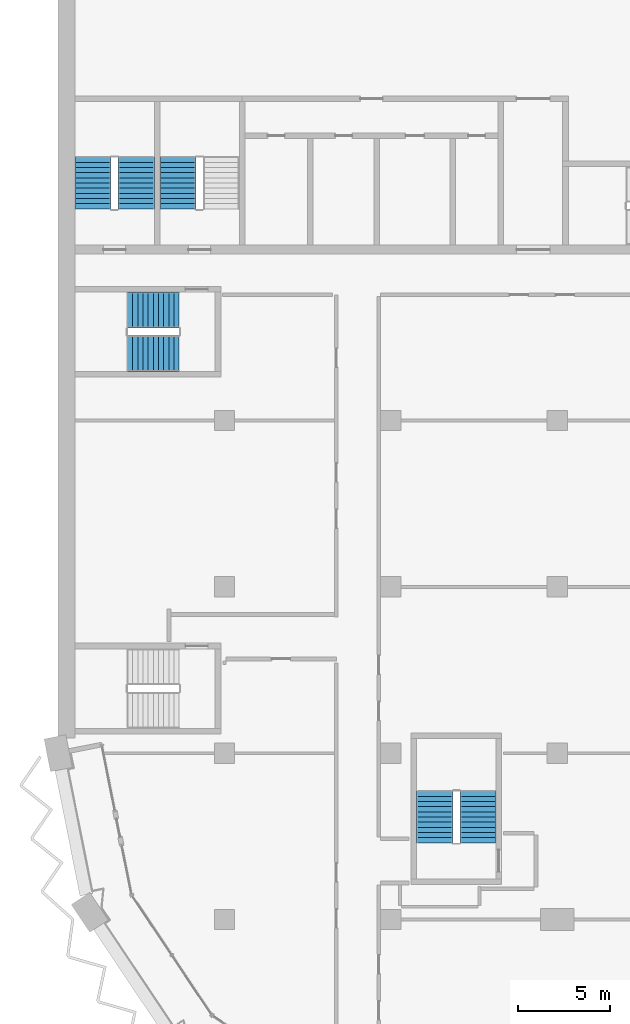
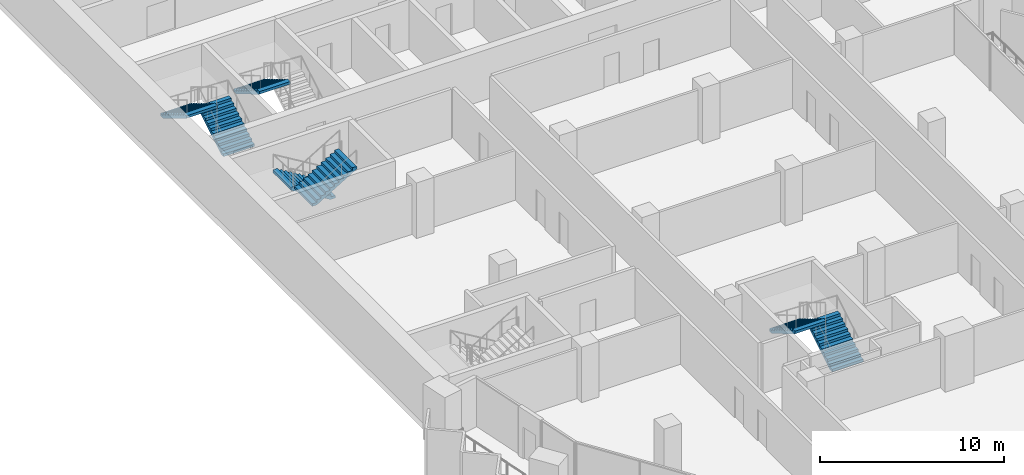
# One storey, part 12 of 17: 7 stair flights, 4 elements without a shape of their own.
"""IFC4 building model written with IfcOpenShell, lengths in metres."""

import ifcopenshell
import ifcopenshell.guid

model = None  # the IFC model being written
_history = None  # IfcOwnerHistory: only IFC2X3 demands one
_inside = {}  # id of a spatial element -> (the spatial element, [elements in it])
_under = {}  # id of a project, library or spatial element -> (it, [spatial elements below it])
_declared = {}  # id of a project -> (the project, [libraries it declares])
_typed = {}  # id of a type object -> (the type object, [elements of that type])
_made_of = {}  # id of a material, layer set ... -> (it, [elements and type objects made of it])


def new_model(schema):
    """Start an empty IFC model of exactly this schema.

    Asked for "IFC4X3", IfcOpenShell would pick the latest addendum, in which some entities
    have other attributes; the version numbers below select the first issue.
    IFC2X3 requires an IfcOwnerHistory on every rooted entity: one is made here for all.
    """
    global model, _history
    if schema == "IFC4X3":
        model = ifcopenshell.file(schema_version=(4, 3, 0, 0))
    else:
        model = ifcopenshell.file(schema=schema)
    _inside.clear()
    _under.clear()
    _declared.clear()
    _typed.clear()
    _made_of.clear()
    _history = None
    if model.schema == "IFC2X3":
        org = make("IfcOrganization", Name="unknown")
        user = make(
            "IfcPersonAndOrganization",
            ThePerson=make("IfcPerson", FamilyName="unknown"),
            TheOrganization=org,
        )
        app = make(
            "IfcApplication",
            ApplicationDeveloper=org,
            Version="unknown",
            ApplicationFullName="unknown",
            ApplicationIdentifier="unknown",
        )
        _history = make(
            "IfcOwnerHistory",
            OwningUser=user,
            OwningApplication=app,
            ChangeAction="ADDED",
            CreationDate=0,
        )
    return model


def make(cls, **values):
    """One entity of the class cls with the attributes given. An attribute that is None is left unset."""
    return model.create_entity(
        cls, **{name: value for name, value in values.items() if value is not None}
    )


def rooted(cls, **values):
    """An entity with a GlobalId (a new one), such as an element, a storey or a relation."""
    return make(cls, GlobalId=ifcopenshell.guid.new(), OwnerHistory=_history, **values)


def si_unit(unit_type, name, prefix=None):
    """IfcSIUnit, for example si_unit("LENGTHUNIT", "METRE", prefix="MILLI")."""
    return make("IfcSIUnit", UnitType=unit_type, Prefix=prefix, Name=name)


def assignment(units):
    """IfcUnitAssignment: the units of a project."""
    return None if units is None else make("IfcUnitAssignment", Units=units)


def point(xyz):
    """IfcCartesianPoint."""
    return None if xyz is None else make("IfcCartesianPoint", Coordinates=xyz)


def direction(xyz):
    """IfcDirection."""
    return None if xyz is None else make("IfcDirection", DirectionRatios=xyz)


def frame(location, z_axis=None, x_axis=None):
    """IfcAxis2Placement3D, a coordinate frame: its origin and axes. An axis left out is left unset."""
    return make(
        "IfcAxis2Placement3D",
        Location=point(location),
        Axis=direction(z_axis),
        RefDirection=direction(x_axis),
    )


def origin():
    """The frame at (0, 0, 0) with its axes left unset."""
    return frame((0.0, 0.0, 0.0))


def place(relative_to, where):
    """IfcLocalPlacement: puts the frame where relative to a parent placement (None: the world)."""
    return make(
        "IfcLocalPlacement", PlacementRelTo=relative_to, RelativePlacement=where
    )


def context(
    kind, dimensions, precision=None, world=None, true_north=None, identifier=None
):
    """IfcGeometricRepresentationContext, for example the 3D "Model" context."""
    return make(
        "IfcGeometricRepresentationContext",
        ContextIdentifier=identifier,
        ContextType=kind,
        CoordinateSpaceDimension=dimensions,
        Precision=precision,
        WorldCoordinateSystem=world,
        TrueNorth=true_north,
    )


def subcontext(parent, identifier, kind, view, scale=None):
    """IfcGeometricRepresentationSubContext, for example "Body" below "Model"."""
    return make(
        "IfcGeometricRepresentationSubContext",
        ContextIdentifier=identifier,
        ContextType=kind,
        ParentContext=parent,
        TargetScale=scale,
        TargetView=view,
    )


def project(units=None, contexts=None):
    """IfcProject with its units and contexts."""
    return rooted(
        "IfcProject",
        Name="project",
        RepresentationContexts=contexts,
        UnitsInContext=assignment(units),
    )


def spatial(cls, under=None, at=None, **own):
    """A site, building, storey or space (cls), placed at a placement, below another one or the project."""
    s = rooted(cls, ObjectPlacement=at, **own)
    if under is not None:
        _under.setdefault(under.id(), (under, []))[1].append(s)
    return s


def polyline(points):
    """IfcPolyline through the points."""
    return make("IfcPolyline", Points=[point(p) for p in points])


def outline(outer, holes=None, kind="AREA"):
    """IfcArbitraryClosedProfileDef: a profile drawn as a closed curve; with holes, ...WithVoids."""
    if holes is None:
        return make("IfcArbitraryClosedProfileDef", ProfileType=kind, OuterCurve=outer)
    return make(
        "IfcArbitraryProfileDefWithVoids",
        ProfileType=kind,
        OuterCurve=outer,
        InnerCurves=holes,
    )


def extrude(swept, where, along, depth):
    """IfcExtrudedAreaSolid: the profile swept, set in the frame where, extruded along a direction by depth."""
    return make(
        "IfcExtrudedAreaSolid",
        SweptArea=swept,
        Position=where,
        ExtrudedDirection=direction(along),
        Depth=depth,
    )


def shape(context_of_items, identifier, shape_type, items):
    """IfcShapeRepresentation: the items that make up one representation, for example the "Body"."""
    return make(
        "IfcShapeRepresentation",
        ContextOfItems=context_of_items,
        RepresentationIdentifier=identifier,
        RepresentationType=shape_type,
        Items=items,
    )


def material(Name=None, Category=None):
    """IfcMaterial."""
    return make("IfcMaterial", Name=Name, Category=Category)


def made_of(thing, what):
    """Note that an element or type object is made of a material, layer set ...; save() writes the relation."""
    if what is not None:
        _made_of.setdefault(what.id(), (what, []))[1].append(thing)
    return thing


def type_object(cls, material=None, **own):
    """A type object (cls), such as IfcWallType, which elements share."""
    return made_of(rooted(cls, **own), material)


def element(
    cls,
    number,
    at=None,
    inside=None,
    cuts=None,
    type_object=None,
    material=None,
    context=None,
    identifier="Body",
    shape_type=None,
    held_by="IfcProductDefinitionShape",
    body=None,
    shapes=None,
    **own,
):
    """One element of the class cls, such as IfcWall. Its Tag is "e" and its number.

    at: its placement. inside: the storey or other place that contains it. cuts: it is an
    opening in that element (IfcRelVoidsElement). A single representation is given by context,
    identifier, shape_type and body (its items); several are given by shapes. held_by: the class
    of the entity that holds the representations. save() writes the other relations.
    """
    e = rooted(cls, Tag="e%d" % number, ObjectPlacement=at, **own)
    if body is not None:
        shapes = [shape(context, identifier, shape_type, body)]
    if shapes is not None:
        e.Representation = make(held_by, Representations=shapes)
    if inside is not None:
        _inside.setdefault(inside.id(), (inside, []))[1].append(e)
    if cuts is not None:
        rooted(
            "IfcRelVoidsElement", RelatingBuildingElement=cuts, RelatedOpeningElement=e
        )
    if type_object is not None:
        _typed.setdefault(type_object.id(), (type_object, []))[1].append(e)
    return made_of(e, material)


def aggregate(whole, parts):
    """IfcRelAggregates: a whole, such as a stair, and the parts it consists of."""
    return rooted("IfcRelAggregates", RelatingObject=whole, RelatedObjects=parts)


def save(model, path):
    """Write the relations noted so far, then the file.

    IfcRelAggregates (storeys below a building ...), IfcRelContainedInSpatialStructure (elements
    in a storey), IfcRelDefinesByType, IfcRelAssociatesMaterial and IfcRelDeclares: one each for
    every whole, place, type object, material and project.
    """
    for whole, parts in _under.values():
        aggregate(whole, parts)
    for where, things in _inside.values():
        rooted(
            "IfcRelContainedInSpatialStructure",
            RelatedElements=things,
            RelatingStructure=where,
        )
    for kind, things in _typed.values():
        rooted("IfcRelDefinesByType", RelatedObjects=things, RelatingType=kind)
    for what, things in _made_of.values():
        rooted("IfcRelAssociatesMaterial", RelatedObjects=things, RelatingMaterial=what)
    for by, libraries in _declared.values():
        rooted("IfcRelDeclares", RelatingContext=by, RelatedDefinitions=libraries)
    model.write(path)


model = new_model("IFC4")

# Units and contexts
model_context = context("Model", 3, precision=1e-05, world=origin(), true_north=direction((0.0, 1.0)))
body_context = subcontext(model_context, "Body", "Model", "MODEL_VIEW")
ifc_project = project(units=[si_unit("LENGTHUNIT", "METRE"), si_unit("AREAUNIT", "SQUARE_METRE"), si_unit("VOLUMEUNIT", "CUBIC_METRE"), si_unit("PLANEANGLEUNIT", "RADIAN"), si_unit("MASSUNIT", "GRAM", prefix="KILO")], contexts=[model_context])

# Site, building, storey
site_placement = place(None, origin())
site = spatial("IfcSite", under=ifc_project, at=site_placement, CompositionType="ELEMENT")
building_placement = place(site_placement, origin())
building = spatial("IfcBuilding", under=site, at=building_placement, Name="Hunhe Ridgeline Campus", CompositionType="ELEMENT")
storey_placement = place(building_placement, frame((0.0, 0.0, 186.5)))
storey = spatial("IfcBuildingStorey", under=building, at=storey_placement, Name="L47", CompositionType="ELEMENT", Elevation=186.5)

# Stair, stair flights
ifc_material = material(Name="Concrete C40", Category="concrete")
stair_type = type_object("IfcStairType", Name="Reinforced concrete dog-leg stair 1950 Concrete C40", PredefinedType="HALF_TURN_STAIR", material=ifc_material)
stair_1_placement = place(storey_placement, origin())
stair_1 = element("IfcStair", 1, at=stair_1_placement, inside=storey, type_object=stair_type, Name="L47 S3", PredefinedType="HALF_TURN_STAIR")
stair_flight_type = type_object("IfcStairFlightType", Name="Reinforced concrete stair flight 1950 Concrete C40", PredefinedType="STRAIGHT", material=ifc_material)
stair_flight_1_placement = place(storey_placement, frame((4.22509765625, 65.449951171875, 0.0), z_axis=(0.0, 0.0, 1.0), x_axis=(0.0, 1.0, 0.0)))
stair_flight_1 = element("IfcStairFlight", 2, at=stair_flight_1_placement, type_object=stair_flight_type, Name="ST3 flight 1", NumberOfRisers=11, NumberOfTreads=10, PredefinedType="STRAIGHT", RiserHeight=0.168181818, TreadLength=0.28, context=body_context, shape_type="SweptSolid", body=[
    extrude(outline(polyline([(0.0, 0.0), (0.0, 0.168212890625), (0.280029296875, 0.168212890625), (0.280029296875, 0.33642578125), (0.56005859375, 0.33642578125), (0.56005859375, 0.504638671875), (0.840087890625, 0.504638671875), (0.840087890625, 0.672607421875), (1.1201171875, 0.672607421875), (1.1201171875, 0.8408203125), (1.39990234375, 0.8408203125), (1.39990234375, 1.009033203125), (1.679931640625, 1.009033203125), (1.679931640625, 1.17724609375), (1.9599609375, 1.17724609375), (1.9599609375, 1.345458984375), (2.239990234375, 1.345458984375), (2.239990234375, 1.513671875), (2.52001953125, 1.513671875), (2.52001953125, 1.681884765625), (2.800048828125, 1.681884765625), (2.800048828125, 1.85009765625), (2.800048828125, 1.5068359375), (0.291015625, 0.0), (0.0, 0.0)])), frame((0.0, 0.97509765625, 0.0), z_axis=(0.0, -1.0, 0.0), x_axis=(1.0, 0.0, 0.0)), (0.0, 0.0, 1.0), 1.949951171875),
    extrude(outline(polyline([(0.030029296875, 0.030029296875), (0.030029296875, 0.13818359375), (0.31005859375, 0.13818359375), (0.31005859375, 0.306396484375), (0.590087890625, 0.306396484375), (0.590087890625, 0.474609375), (0.8701171875, 0.474609375), (0.8701171875, 0.642578125), (1.14990234375, 0.642578125), (1.14990234375, 0.810791015625), (1.429931640625, 0.810791015625), (1.429931640625, 0.97900390625), (1.7099609375, 0.97900390625), (1.7099609375, 1.147216796875), (1.989990234375, 1.147216796875), (1.989990234375, 1.3154296875), (2.27001953125, 1.3154296875), (2.27001953125, 1.483642578125), (2.550048828125, 1.483642578125), (2.550048828125, 1.65185546875), (2.77001953125, 1.65185546875), (2.77001953125, 1.52392578125), (0.28271484375, 0.030029296875), (0.030029296875, 0.030029296875)])), frame((0.0, -0.070068359375, 0.0), z_axis=(0.0, -1.0, 0.0), x_axis=(1.0, 0.0, 0.0)), (0.0, 0.0, 1.0), 0.019775390625),
    extrude(outline(polyline([(0.030029296875, 0.030029296875), (0.030029296875, 0.13818359375), (0.31005859375, 0.13818359375), (0.31005859375, 0.306396484375), (0.590087890625, 0.306396484375), (0.590087890625, 0.474609375), (0.8701171875, 0.474609375), (0.8701171875, 0.642578125), (1.14990234375, 0.642578125), (1.14990234375, 0.810791015625), (1.429931640625, 0.810791015625), (1.429931640625, 0.97900390625), (1.7099609375, 0.97900390625), (1.7099609375, 1.147216796875), (1.989990234375, 1.147216796875), (1.989990234375, 1.3154296875), (2.27001953125, 1.3154296875), (2.27001953125, 1.483642578125), (2.550048828125, 1.483642578125), (2.550048828125, 1.65185546875), (2.77001953125, 1.65185546875), (2.77001953125, 1.52392578125), (0.28271484375, 0.030029296875), (0.030029296875, 0.030029296875)])), frame((0.0, 0.010009765625, 0.0), z_axis=(0.0, -1.0, 0.0), x_axis=(1.0, 0.0, 0.0)), (0.0, 0.0, 1.0), 0.019775390625),
    extrude(outline(polyline([(0.030029296875, 0.030029296875), (0.030029296875, 0.13818359375), (0.31005859375, 0.13818359375), (0.31005859375, 0.306396484375), (0.590087890625, 0.306396484375), (0.590087890625, 0.474609375), (0.8701171875, 0.474609375), (0.8701171875, 0.642578125), (1.14990234375, 0.642578125), (1.14990234375, 0.810791015625), (1.429931640625, 0.810791015625), (1.429931640625, 0.97900390625), (1.7099609375, 0.97900390625), (1.7099609375, 1.147216796875), (1.989990234375, 1.147216796875), (1.989990234375, 1.3154296875), (2.27001953125, 1.3154296875), (2.27001953125, 1.483642578125), (2.550048828125, 1.483642578125), (2.550048828125, 1.65185546875), (2.77001953125, 1.65185546875), (2.77001953125, 1.52392578125), (0.28271484375, 0.030029296875), (0.030029296875, 0.030029296875)])), frame((0.0, 0.090087890625, 0.0), z_axis=(0.0, -1.0, 0.0), x_axis=(1.0, 0.0, 0.0)), (0.0, 0.0, 1.0), 0.019775390625),
])
stair_flight_2_placement = place(storey_placement, frame((1.875, 68.25, 1.85009765625), z_axis=(0.0, 0.0, 1.0), x_axis=(0.0, -1.0, 0.0)))
stair_flight_2 = element("IfcStairFlight", 3, at=stair_flight_2_placement, type_object=stair_flight_type, Name="ST3 flight 2", NumberOfRisers=11, NumberOfTreads=10, PredefinedType="STRAIGHT", RiserHeight=0.168181818, TreadLength=0.28, context=body_context, shape_type="SweptSolid", body=[
    extrude(outline(polyline([(0.0, 0.0), (0.0, 0.168212890625), (0.280029296875, 0.168212890625), (0.280029296875, 0.33642578125), (0.56005859375, 0.33642578125), (0.56005859375, 0.504638671875), (0.840087890625, 0.504638671875), (0.840087890625, 0.672607421875), (1.1201171875, 0.672607421875), (1.1201171875, 0.8408203125), (1.39990234375, 0.8408203125), (1.39990234375, 1.009033203125), (1.679931640625, 1.009033203125), (1.679931640625, 1.17724609375), (1.9599609375, 1.17724609375), (1.9599609375, 1.345458984375), (2.239990234375, 1.345458984375), (2.239990234375, 1.513671875), (2.52001953125, 1.513671875), (2.52001953125, 1.681884765625), (2.800048828125, 1.681884765625), (2.800048828125, 1.85009765625), (2.800048828125, 1.5068359375), (0.291015625, 0.0), (0.0, 0.0)])), frame((0.0, 0.97509765625, 0.0), z_axis=(0.0, -1.0, 0.0), x_axis=(1.0, 0.0, 0.0)), (0.0, 0.0, 1.0), 1.949951171875),
    extrude(outline(polyline([(0.030029296875, 0.030029296875), (0.030029296875, 0.13818359375), (0.31005859375, 0.13818359375), (0.31005859375, 0.306396484375), (0.590087890625, 0.306396484375), (0.590087890625, 0.474609375), (0.8701171875, 0.474609375), (0.8701171875, 0.642578125), (1.14990234375, 0.642578125), (1.14990234375, 0.810791015625), (1.429931640625, 0.810791015625), (1.429931640625, 0.97900390625), (1.7099609375, 0.97900390625), (1.7099609375, 1.147216796875), (1.989990234375, 1.147216796875), (1.989990234375, 1.3154296875), (2.27001953125, 1.3154296875), (2.27001953125, 1.483642578125), (2.550048828125, 1.483642578125), (2.550048828125, 1.65185546875), (2.77001953125, 1.65185546875), (2.77001953125, 1.52392578125), (0.28271484375, 0.030029296875), (0.030029296875, 0.030029296875)])), frame((0.0, -0.070068359375, 0.0), z_axis=(0.0, -1.0, 0.0), x_axis=(1.0, 0.0, 0.0)), (0.0, 0.0, 1.0), 0.019775390625),
    extrude(outline(polyline([(0.030029296875, 0.030029296875), (0.030029296875, 0.13818359375), (0.31005859375, 0.13818359375), (0.31005859375, 0.306396484375), (0.590087890625, 0.306396484375), (0.590087890625, 0.474609375), (0.8701171875, 0.474609375), (0.8701171875, 0.642578125), (1.14990234375, 0.642578125), (1.14990234375, 0.810791015625), (1.429931640625, 0.810791015625), (1.429931640625, 0.97900390625), (1.7099609375, 0.97900390625), (1.7099609375, 1.147216796875), (1.989990234375, 1.147216796875), (1.989990234375, 1.3154296875), (2.27001953125, 1.3154296875), (2.27001953125, 1.483642578125), (2.550048828125, 1.483642578125), (2.550048828125, 1.65185546875), (2.77001953125, 1.65185546875), (2.77001953125, 1.52392578125), (0.28271484375, 0.030029296875), (0.030029296875, 0.030029296875)])), frame((0.0, 0.010009765625, 0.0), z_axis=(0.0, -1.0, 0.0), x_axis=(1.0, 0.0, 0.0)), (0.0, 0.0, 1.0), 0.019775390625),
    extrude(outline(polyline([(0.030029296875, 0.030029296875), (0.030029296875, 0.13818359375), (0.31005859375, 0.13818359375), (0.31005859375, 0.306396484375), (0.590087890625, 0.306396484375), (0.590087890625, 0.474609375), (0.8701171875, 0.474609375), (0.8701171875, 0.642578125), (1.14990234375, 0.642578125), (1.14990234375, 0.810791015625), (1.429931640625, 0.810791015625), (1.429931640625, 0.97900390625), (1.7099609375, 0.97900390625), (1.7099609375, 1.147216796875), (1.989990234375, 1.147216796875), (1.989990234375, 1.3154296875), (2.27001953125, 1.3154296875), (2.27001953125, 1.483642578125), (2.550048828125, 1.483642578125), (2.550048828125, 1.65185546875), (2.77001953125, 1.65185546875), (2.77001953125, 1.52392578125), (0.28271484375, 0.030029296875), (0.030029296875, 0.030029296875)])), frame((0.0, 0.090087890625, 0.0), z_axis=(0.0, -1.0, 0.0), x_axis=(1.0, 0.0, 0.0)), (0.0, 0.0, 1.0), 0.019775390625),
])
aggregate(stair_1, [stair_flight_1, stair_flight_2])

# Stair, stair flight
stair_2_placement = place(storey_placement, origin())
stair_2 = element("IfcStair", 4, at=stair_2_placement, inside=storey, type_object=stair_type, Name="L47 S4", PredefinedType="HALF_TURN_STAIR")
stair_flight_3_placement = place(storey_placement, frame((6.47509765625, 68.25, 1.85009765625), z_axis=(0.0, 0.0, 1.0), x_axis=(0.0, -1.0, 0.0)))
stair_flight_3 = element("IfcStairFlight", 5, at=stair_flight_3_placement, type_object=stair_flight_type, Name="ST4 flight 2", NumberOfRisers=11, NumberOfTreads=10, PredefinedType="STRAIGHT", RiserHeight=0.168181818, TreadLength=0.28, context=body_context, shape_type="SweptSolid", body=[
    extrude(outline(polyline([(0.0, 0.0), (0.0, 0.168212890625), (0.280029296875, 0.168212890625), (0.280029296875, 0.33642578125), (0.56005859375, 0.33642578125), (0.56005859375, 0.504638671875), (0.840087890625, 0.504638671875), (0.840087890625, 0.672607421875), (1.1201171875, 0.672607421875), (1.1201171875, 0.8408203125), (1.39990234375, 0.8408203125), (1.39990234375, 1.009033203125), (1.679931640625, 1.009033203125), (1.679931640625, 1.17724609375), (1.9599609375, 1.17724609375), (1.9599609375, 1.345458984375), (2.239990234375, 1.345458984375), (2.239990234375, 1.513671875), (2.52001953125, 1.513671875), (2.52001953125, 1.681884765625), (2.800048828125, 1.681884765625), (2.800048828125, 1.85009765625), (2.800048828125, 1.5068359375), (0.291015625, 0.0), (0.0, 0.0)])), frame((0.0, 0.97509765625, 0.0), z_axis=(0.0, -1.0, 0.0), x_axis=(1.0, 0.0, 0.0)), (0.0, 0.0, 1.0), 1.949951171875),
    extrude(outline(polyline([(0.030029296875, 0.030029296875), (0.030029296875, 0.13818359375), (0.31005859375, 0.13818359375), (0.31005859375, 0.306396484375), (0.590087890625, 0.306396484375), (0.590087890625, 0.474609375), (0.8701171875, 0.474609375), (0.8701171875, 0.642578125), (1.14990234375, 0.642578125), (1.14990234375, 0.810791015625), (1.429931640625, 0.810791015625), (1.429931640625, 0.97900390625), (1.7099609375, 0.97900390625), (1.7099609375, 1.147216796875), (1.989990234375, 1.147216796875), (1.989990234375, 1.3154296875), (2.27001953125, 1.3154296875), (2.27001953125, 1.483642578125), (2.550048828125, 1.483642578125), (2.550048828125, 1.65185546875), (2.77001953125, 1.65185546875), (2.77001953125, 1.52392578125), (0.28271484375, 0.030029296875), (0.030029296875, 0.030029296875)])), frame((0.0, -0.070068359375, 0.0), z_axis=(0.0, -1.0, 0.0), x_axis=(1.0, 0.0, 0.0)), (0.0, 0.0, 1.0), 0.019775390625),
    extrude(outline(polyline([(0.030029296875, 0.030029296875), (0.030029296875, 0.13818359375), (0.31005859375, 0.13818359375), (0.31005859375, 0.306396484375), (0.590087890625, 0.306396484375), (0.590087890625, 0.474609375), (0.8701171875, 0.474609375), (0.8701171875, 0.642578125), (1.14990234375, 0.642578125), (1.14990234375, 0.810791015625), (1.429931640625, 0.810791015625), (1.429931640625, 0.97900390625), (1.7099609375, 0.97900390625), (1.7099609375, 1.147216796875), (1.989990234375, 1.147216796875), (1.989990234375, 1.3154296875), (2.27001953125, 1.3154296875), (2.27001953125, 1.483642578125), (2.550048828125, 1.483642578125), (2.550048828125, 1.65185546875), (2.77001953125, 1.65185546875), (2.77001953125, 1.52392578125), (0.28271484375, 0.030029296875), (0.030029296875, 0.030029296875)])), frame((0.0, 0.010009765625, 0.0), z_axis=(0.0, -1.0, 0.0), x_axis=(1.0, 0.0, 0.0)), (0.0, 0.0, 1.0), 0.019775390625),
    extrude(outline(polyline([(0.030029296875, 0.030029296875), (0.030029296875, 0.13818359375), (0.31005859375, 0.13818359375), (0.31005859375, 0.306396484375), (0.590087890625, 0.306396484375), (0.590087890625, 0.474609375), (0.8701171875, 0.474609375), (0.8701171875, 0.642578125), (1.14990234375, 0.642578125), (1.14990234375, 0.810791015625), (1.429931640625, 0.810791015625), (1.429931640625, 0.97900390625), (1.7099609375, 0.97900390625), (1.7099609375, 1.147216796875), (1.989990234375, 1.147216796875), (1.989990234375, 1.3154296875), (2.27001953125, 1.3154296875), (2.27001953125, 1.483642578125), (2.550048828125, 1.483642578125), (2.550048828125, 1.65185546875), (2.77001953125, 1.65185546875), (2.77001953125, 1.52392578125), (0.28271484375, 0.030029296875), (0.030029296875, 0.030029296875)])), frame((0.0, 0.090087890625, 0.0), z_axis=(0.0, -1.0, 0.0), x_axis=(1.0, 0.0, 0.0)), (0.0, 0.0, 1.0), 0.019775390625),
])
aggregate(stair_2, [stair_flight_3])

# Stair, stair flights
stair_3_placement = place(storey_placement, origin())
stair_3 = element("IfcStair", 6, at=stair_3_placement, inside=storey, type_object=stair_type, Name="L47 W3", PredefinedType="HALF_TURN_STAIR")
stair_flight_4_placement = place(storey_placement, frame((22.72509765625, 31.14990234375, 0.0), z_axis=(0.0, 0.0, 1.0), x_axis=(0.0, 1.0, 0.0)))
stair_flight_4 = element("IfcStairFlight", 7, at=stair_flight_4_placement, type_object=stair_flight_type, Name="ST9 flight 1", NumberOfRisers=11, NumberOfTreads=10, PredefinedType="STRAIGHT", RiserHeight=0.168181818, TreadLength=0.28, context=body_context, shape_type="SweptSolid", body=[
    extrude(outline(polyline([(0.0, 0.0), (0.0, 0.168212890625), (0.280029296875, 0.168212890625), (0.280029296875, 0.33642578125), (0.56005859375, 0.33642578125), (0.56005859375, 0.504638671875), (0.840087890625, 0.504638671875), (0.840087890625, 0.672607421875), (1.1201171875, 0.672607421875), (1.1201171875, 0.8408203125), (1.39990234375, 0.8408203125), (1.39990234375, 1.009033203125), (1.679931640625, 1.009033203125), (1.679931640625, 1.17724609375), (1.9599609375, 1.17724609375), (1.9599609375, 1.345458984375), (2.239990234375, 1.345458984375), (2.239990234375, 1.513671875), (2.52001953125, 1.513671875), (2.52001953125, 1.681884765625), (2.800048828125, 1.681884765625), (2.800048828125, 1.85009765625), (2.800048828125, 1.5068359375), (0.291015625, 0.0), (0.0, 0.0)])), frame((0.0, 0.97509765625, 0.0), z_axis=(0.0, -1.0, 0.0), x_axis=(1.0, 0.0, 0.0)), (0.0, 0.0, 1.0), 1.949951171875),
    extrude(outline(polyline([(0.030029296875, 0.030029296875), (0.030029296875, 0.13818359375), (0.31005859375, 0.13818359375), (0.31005859375, 0.306396484375), (0.590087890625, 0.306396484375), (0.590087890625, 0.474609375), (0.8701171875, 0.474609375), (0.8701171875, 0.642578125), (1.14990234375, 0.642578125), (1.14990234375, 0.810791015625), (1.429931640625, 0.810791015625), (1.429931640625, 0.97900390625), (1.7099609375, 0.97900390625), (1.7099609375, 1.147216796875), (1.989990234375, 1.147216796875), (1.989990234375, 1.3154296875), (2.27001953125, 1.3154296875), (2.27001953125, 1.483642578125), (2.550048828125, 1.483642578125), (2.550048828125, 1.65185546875), (2.77001953125, 1.65185546875), (2.77001953125, 1.52392578125), (0.28271484375, 0.030029296875), (0.030029296875, 0.030029296875)])), frame((0.0, -0.070068359375, 0.0), z_axis=(0.0, -1.0, 0.0), x_axis=(1.0, 0.0, 0.0)), (0.0, 0.0, 1.0), 0.019775390625),
    extrude(outline(polyline([(0.030029296875, 0.030029296875), (0.030029296875, 0.13818359375), (0.31005859375, 0.13818359375), (0.31005859375, 0.306396484375), (0.590087890625, 0.306396484375), (0.590087890625, 0.474609375), (0.8701171875, 0.474609375), (0.8701171875, 0.642578125), (1.14990234375, 0.642578125), (1.14990234375, 0.810791015625), (1.429931640625, 0.810791015625), (1.429931640625, 0.97900390625), (1.7099609375, 0.97900390625), (1.7099609375, 1.147216796875), (1.989990234375, 1.147216796875), (1.989990234375, 1.3154296875), (2.27001953125, 1.3154296875), (2.27001953125, 1.483642578125), (2.550048828125, 1.483642578125), (2.550048828125, 1.65185546875), (2.77001953125, 1.65185546875), (2.77001953125, 1.52392578125), (0.28271484375, 0.030029296875), (0.030029296875, 0.030029296875)])), frame((0.0, 0.010009765625, 0.0), z_axis=(0.0, -1.0, 0.0), x_axis=(1.0, 0.0, 0.0)), (0.0, 0.0, 1.0), 0.019775390625),
    extrude(outline(polyline([(0.030029296875, 0.030029296875), (0.030029296875, 0.13818359375), (0.31005859375, 0.13818359375), (0.31005859375, 0.306396484375), (0.590087890625, 0.306396484375), (0.590087890625, 0.474609375), (0.8701171875, 0.474609375), (0.8701171875, 0.642578125), (1.14990234375, 0.642578125), (1.14990234375, 0.810791015625), (1.429931640625, 0.810791015625), (1.429931640625, 0.97900390625), (1.7099609375, 0.97900390625), (1.7099609375, 1.147216796875), (1.989990234375, 1.147216796875), (1.989990234375, 1.3154296875), (2.27001953125, 1.3154296875), (2.27001953125, 1.483642578125), (2.550048828125, 1.483642578125), (2.550048828125, 1.65185546875), (2.77001953125, 1.65185546875), (2.77001953125, 1.52392578125), (0.28271484375, 0.030029296875), (0.030029296875, 0.030029296875)])), frame((0.0, 0.090087890625, 0.0), z_axis=(0.0, -1.0, 0.0), x_axis=(1.0, 0.0, 0.0)), (0.0, 0.0, 1.0), 0.019775390625),
])
stair_flight_5_placement = place(storey_placement, frame((20.375, 33.949951171875, 1.85009765625), z_axis=(0.0, 0.0, 1.0), x_axis=(0.0, -1.0, 0.0)))
stair_flight_5 = element("IfcStairFlight", 8, at=stair_flight_5_placement, type_object=stair_flight_type, Name="ST9 flight 2", NumberOfRisers=11, NumberOfTreads=10, PredefinedType="STRAIGHT", RiserHeight=0.168181818, TreadLength=0.28, context=body_context, shape_type="SweptSolid", body=[
    extrude(outline(polyline([(0.0, 0.0), (0.0, 0.168212890625), (0.280029296875, 0.168212890625), (0.280029296875, 0.33642578125), (0.56005859375, 0.33642578125), (0.56005859375, 0.504638671875), (0.840087890625, 0.504638671875), (0.840087890625, 0.672607421875), (1.1201171875, 0.672607421875), (1.1201171875, 0.8408203125), (1.39990234375, 0.8408203125), (1.39990234375, 1.009033203125), (1.679931640625, 1.009033203125), (1.679931640625, 1.17724609375), (1.9599609375, 1.17724609375), (1.9599609375, 1.345458984375), (2.239990234375, 1.345458984375), (2.239990234375, 1.513671875), (2.52001953125, 1.513671875), (2.52001953125, 1.681884765625), (2.800048828125, 1.681884765625), (2.800048828125, 1.85009765625), (2.800048828125, 1.5068359375), (0.291015625, 0.0), (0.0, 0.0)])), frame((0.0, 0.97509765625, 0.0), z_axis=(0.0, -1.0, 0.0), x_axis=(1.0, 0.0, 0.0)), (0.0, 0.0, 1.0), 1.949951171875),
    extrude(outline(polyline([(0.030029296875, 0.030029296875), (0.030029296875, 0.13818359375), (0.31005859375, 0.13818359375), (0.31005859375, 0.306396484375), (0.590087890625, 0.306396484375), (0.590087890625, 0.474609375), (0.8701171875, 0.474609375), (0.8701171875, 0.642578125), (1.14990234375, 0.642578125), (1.14990234375, 0.810791015625), (1.429931640625, 0.810791015625), (1.429931640625, 0.97900390625), (1.7099609375, 0.97900390625), (1.7099609375, 1.147216796875), (1.989990234375, 1.147216796875), (1.989990234375, 1.3154296875), (2.27001953125, 1.3154296875), (2.27001953125, 1.483642578125), (2.550048828125, 1.483642578125), (2.550048828125, 1.65185546875), (2.77001953125, 1.65185546875), (2.77001953125, 1.52392578125), (0.28271484375, 0.030029296875), (0.030029296875, 0.030029296875)])), frame((0.0, -0.070068359375, 0.0), z_axis=(0.0, -1.0, 0.0), x_axis=(1.0, 0.0, 0.0)), (0.0, 0.0, 1.0), 0.019775390625),
    extrude(outline(polyline([(0.030029296875, 0.030029296875), (0.030029296875, 0.13818359375), (0.31005859375, 0.13818359375), (0.31005859375, 0.306396484375), (0.590087890625, 0.306396484375), (0.590087890625, 0.474609375), (0.8701171875, 0.474609375), (0.8701171875, 0.642578125), (1.14990234375, 0.642578125), (1.14990234375, 0.810791015625), (1.429931640625, 0.810791015625), (1.429931640625, 0.97900390625), (1.7099609375, 0.97900390625), (1.7099609375, 1.147216796875), (1.989990234375, 1.147216796875), (1.989990234375, 1.3154296875), (2.27001953125, 1.3154296875), (2.27001953125, 1.483642578125), (2.550048828125, 1.483642578125), (2.550048828125, 1.65185546875), (2.77001953125, 1.65185546875), (2.77001953125, 1.52392578125), (0.28271484375, 0.030029296875), (0.030029296875, 0.030029296875)])), frame((0.0, 0.010009765625, 0.0), z_axis=(0.0, -1.0, 0.0), x_axis=(1.0, 0.0, 0.0)), (0.0, 0.0, 1.0), 0.019775390625),
    extrude(outline(polyline([(0.030029296875, 0.030029296875), (0.030029296875, 0.13818359375), (0.31005859375, 0.13818359375), (0.31005859375, 0.306396484375), (0.590087890625, 0.306396484375), (0.590087890625, 0.474609375), (0.8701171875, 0.474609375), (0.8701171875, 0.642578125), (1.14990234375, 0.642578125), (1.14990234375, 0.810791015625), (1.429931640625, 0.810791015625), (1.429931640625, 0.97900390625), (1.7099609375, 0.97900390625), (1.7099609375, 1.147216796875), (1.989990234375, 1.147216796875), (1.989990234375, 1.3154296875), (2.27001953125, 1.3154296875), (2.27001953125, 1.483642578125), (2.550048828125, 1.483642578125), (2.550048828125, 1.65185546875), (2.77001953125, 1.65185546875), (2.77001953125, 1.52392578125), (0.28271484375, 0.030029296875), (0.030029296875, 0.030029296875)])), frame((0.0, 0.090087890625, 0.0), z_axis=(0.0, -1.0, 0.0), x_axis=(1.0, 0.0, 0.0)), (0.0, 0.0, 1.0), 0.019775390625),
])
aggregate(stair_3, [stair_flight_4, stair_flight_5])

stair_4_placement = place(storey_placement, origin())
stair_4 = element("IfcStair", 9, at=stair_4_placement, inside=storey, type_object=stair_type, Name="L47 W2", PredefinedType="HALF_TURN_STAIR")
stair_flight_6_placement = place(storey_placement, frame((6.550048828125, 59.97509765625, 0.0), z_axis=(0.0, 0.0, 1.0), x_axis=(-1.0, 0.0, 0.0)))
stair_flight_6 = element("IfcStairFlight", 10, at=stair_flight_6_placement, type_object=stair_flight_type, Name="ST12 flight 1", NumberOfRisers=11, NumberOfTreads=10, PredefinedType="STRAIGHT", RiserHeight=0.168181818, TreadLength=0.28, context=body_context, shape_type="SweptSolid", body=[
    extrude(outline(polyline([(0.0, 0.0), (0.0, 0.168212890625), (0.280029296875, 0.168212890625), (0.280029296875, 0.33642578125), (0.56005859375, 0.33642578125), (0.56005859375, 0.504638671875), (0.840087890625, 0.504638671875), (0.840087890625, 0.672607421875), (1.1201171875, 0.672607421875), (1.1201171875, 0.8408203125), (1.39990234375, 0.8408203125), (1.39990234375, 1.009033203125), (1.679931640625, 1.009033203125), (1.679931640625, 1.17724609375), (1.9599609375, 1.17724609375), (1.9599609375, 1.345458984375), (2.239990234375, 1.345458984375), (2.239990234375, 1.513671875), (2.52001953125, 1.513671875), (2.52001953125, 1.681884765625), (2.800048828125, 1.681884765625), (2.800048828125, 1.85009765625), (2.800048828125, 1.5068359375), (0.291015625, 0.0), (0.0, 0.0)])), frame((0.0, 0.97509765625, 0.0), z_axis=(0.0, -1.0, 0.0), x_axis=(1.0, 0.0, 0.0)), (0.0, 0.0, 1.0), 1.949951171875),
    extrude(outline(polyline([(0.030029296875, 0.030029296875), (0.030029296875, 0.13818359375), (0.31005859375, 0.13818359375), (0.31005859375, 0.306396484375), (0.590087890625, 0.306396484375), (0.590087890625, 0.474609375), (0.8701171875, 0.474609375), (0.8701171875, 0.642578125), (1.14990234375, 0.642578125), (1.14990234375, 0.810791015625), (1.429931640625, 0.810791015625), (1.429931640625, 0.97900390625), (1.7099609375, 0.97900390625), (1.7099609375, 1.147216796875), (1.989990234375, 1.147216796875), (1.989990234375, 1.3154296875), (2.27001953125, 1.3154296875), (2.27001953125, 1.483642578125), (2.550048828125, 1.483642578125), (2.550048828125, 1.65185546875), (2.77001953125, 1.65185546875), (2.77001953125, 1.52392578125), (0.28271484375, 0.030029296875), (0.030029296875, 0.030029296875)])), frame((0.0, -0.070068359375, 0.0), z_axis=(0.0, -1.0, 0.0), x_axis=(1.0, 0.0, 0.0)), (0.0, 0.0, 1.0), 0.019775390625),
    extrude(outline(polyline([(0.030029296875, 0.030029296875), (0.030029296875, 0.13818359375), (0.31005859375, 0.13818359375), (0.31005859375, 0.306396484375), (0.590087890625, 0.306396484375), (0.590087890625, 0.474609375), (0.8701171875, 0.474609375), (0.8701171875, 0.642578125), (1.14990234375, 0.642578125), (1.14990234375, 0.810791015625), (1.429931640625, 0.810791015625), (1.429931640625, 0.97900390625), (1.7099609375, 0.97900390625), (1.7099609375, 1.147216796875), (1.989990234375, 1.147216796875), (1.989990234375, 1.3154296875), (2.27001953125, 1.3154296875), (2.27001953125, 1.483642578125), (2.550048828125, 1.483642578125), (2.550048828125, 1.65185546875), (2.77001953125, 1.65185546875), (2.77001953125, 1.52392578125), (0.28271484375, 0.030029296875), (0.030029296875, 0.030029296875)])), frame((0.0, 0.010009765625, 0.0), z_axis=(0.0, -1.0, 0.0), x_axis=(1.0, 0.0, 0.0)), (0.0, 0.0, 1.0), 0.019775390625),
    extrude(outline(polyline([(0.030029296875, 0.030029296875), (0.030029296875, 0.13818359375), (0.31005859375, 0.13818359375), (0.31005859375, 0.306396484375), (0.590087890625, 0.306396484375), (0.590087890625, 0.474609375), (0.8701171875, 0.474609375), (0.8701171875, 0.642578125), (1.14990234375, 0.642578125), (1.14990234375, 0.810791015625), (1.429931640625, 0.810791015625), (1.429931640625, 0.97900390625), (1.7099609375, 0.97900390625), (1.7099609375, 1.147216796875), (1.989990234375, 1.147216796875), (1.989990234375, 1.3154296875), (2.27001953125, 1.3154296875), (2.27001953125, 1.483642578125), (2.550048828125, 1.483642578125), (2.550048828125, 1.65185546875), (2.77001953125, 1.65185546875), (2.77001953125, 1.52392578125), (0.28271484375, 0.030029296875), (0.030029296875, 0.030029296875)])), frame((0.0, 0.090087890625, 0.0), z_axis=(0.0, -1.0, 0.0), x_axis=(1.0, 0.0, 0.0)), (0.0, 0.0, 1.0), 0.019775390625),
])
stair_flight_7_placement = place(storey_placement, frame((3.75, 57.625, 1.85009765625), z_axis=(0.0, 0.0, 1.0), x_axis=(1.0, 0.0, 0.0)))
stair_flight_7 = element("IfcStairFlight", 11, at=stair_flight_7_placement, type_object=stair_flight_type, Name="ST12 flight 2", NumberOfRisers=11, NumberOfTreads=10, PredefinedType="STRAIGHT", RiserHeight=0.168181818, TreadLength=0.28, context=body_context, shape_type="SweptSolid", body=[
    extrude(outline(polyline([(0.0, 0.0), (0.0, 0.168212890625), (0.280029296875, 0.168212890625), (0.280029296875, 0.33642578125), (0.56005859375, 0.33642578125), (0.56005859375, 0.504638671875), (0.840087890625, 0.504638671875), (0.840087890625, 0.672607421875), (1.1201171875, 0.672607421875), (1.1201171875, 0.8408203125), (1.39990234375, 0.8408203125), (1.39990234375, 1.009033203125), (1.679931640625, 1.009033203125), (1.679931640625, 1.17724609375), (1.9599609375, 1.17724609375), (1.9599609375, 1.345458984375), (2.239990234375, 1.345458984375), (2.239990234375, 1.513671875), (2.52001953125, 1.513671875), (2.52001953125, 1.681884765625), (2.800048828125, 1.681884765625), (2.800048828125, 1.85009765625), (2.800048828125, 1.5068359375), (0.291015625, 0.0), (0.0, 0.0)])), frame((0.0, 0.97509765625, 0.0), z_axis=(0.0, -1.0, 0.0), x_axis=(1.0, 0.0, 0.0)), (0.0, 0.0, 1.0), 1.949951171875),
    extrude(outline(polyline([(0.030029296875, 0.030029296875), (0.030029296875, 0.13818359375), (0.31005859375, 0.13818359375), (0.31005859375, 0.306396484375), (0.590087890625, 0.306396484375), (0.590087890625, 0.474609375), (0.8701171875, 0.474609375), (0.8701171875, 0.642578125), (1.14990234375, 0.642578125), (1.14990234375, 0.810791015625), (1.429931640625, 0.810791015625), (1.429931640625, 0.97900390625), (1.7099609375, 0.97900390625), (1.7099609375, 1.147216796875), (1.989990234375, 1.147216796875), (1.989990234375, 1.3154296875), (2.27001953125, 1.3154296875), (2.27001953125, 1.483642578125), (2.550048828125, 1.483642578125), (2.550048828125, 1.65185546875), (2.77001953125, 1.65185546875), (2.77001953125, 1.52392578125), (0.28271484375, 0.030029296875), (0.030029296875, 0.030029296875)])), frame((0.0, -0.070068359375, 0.0), z_axis=(0.0, -1.0, 0.0), x_axis=(1.0, 0.0, 0.0)), (0.0, 0.0, 1.0), 0.019775390625),
    extrude(outline(polyline([(0.030029296875, 0.030029296875), (0.030029296875, 0.13818359375), (0.31005859375, 0.13818359375), (0.31005859375, 0.306396484375), (0.590087890625, 0.306396484375), (0.590087890625, 0.474609375), (0.8701171875, 0.474609375), (0.8701171875, 0.642578125), (1.14990234375, 0.642578125), (1.14990234375, 0.810791015625), (1.429931640625, 0.810791015625), (1.429931640625, 0.97900390625), (1.7099609375, 0.97900390625), (1.7099609375, 1.147216796875), (1.989990234375, 1.147216796875), (1.989990234375, 1.3154296875), (2.27001953125, 1.3154296875), (2.27001953125, 1.483642578125), (2.550048828125, 1.483642578125), (2.550048828125, 1.65185546875), (2.77001953125, 1.65185546875), (2.77001953125, 1.52392578125), (0.28271484375, 0.030029296875), (0.030029296875, 0.030029296875)])), frame((0.0, 0.010009765625, 0.0), z_axis=(0.0, -1.0, 0.0), x_axis=(1.0, 0.0, 0.0)), (0.0, 0.0, 1.0), 0.019775390625),
    extrude(outline(polyline([(0.030029296875, 0.030029296875), (0.030029296875, 0.13818359375), (0.31005859375, 0.13818359375), (0.31005859375, 0.306396484375), (0.590087890625, 0.306396484375), (0.590087890625, 0.474609375), (0.8701171875, 0.474609375), (0.8701171875, 0.642578125), (1.14990234375, 0.642578125), (1.14990234375, 0.810791015625), (1.429931640625, 0.810791015625), (1.429931640625, 0.97900390625), (1.7099609375, 0.97900390625), (1.7099609375, 1.147216796875), (1.989990234375, 1.147216796875), (1.989990234375, 1.3154296875), (2.27001953125, 1.3154296875), (2.27001953125, 1.483642578125), (2.550048828125, 1.483642578125), (2.550048828125, 1.65185546875), (2.77001953125, 1.65185546875), (2.77001953125, 1.52392578125), (0.28271484375, 0.030029296875), (0.030029296875, 0.030029296875)])), frame((0.0, 0.090087890625, 0.0), z_axis=(0.0, -1.0, 0.0), x_axis=(1.0, 0.0, 0.0)), (0.0, 0.0, 1.0), 0.019775390625),
])
aggregate(stair_4, [stair_flight_6, stair_flight_7])

save(model, "model.ifc")
